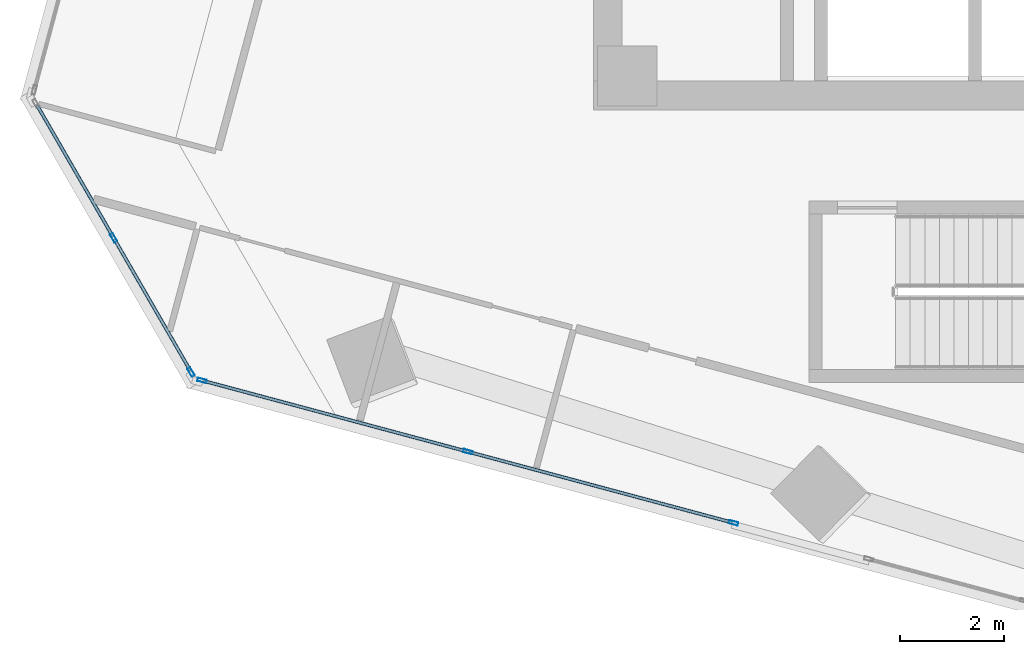
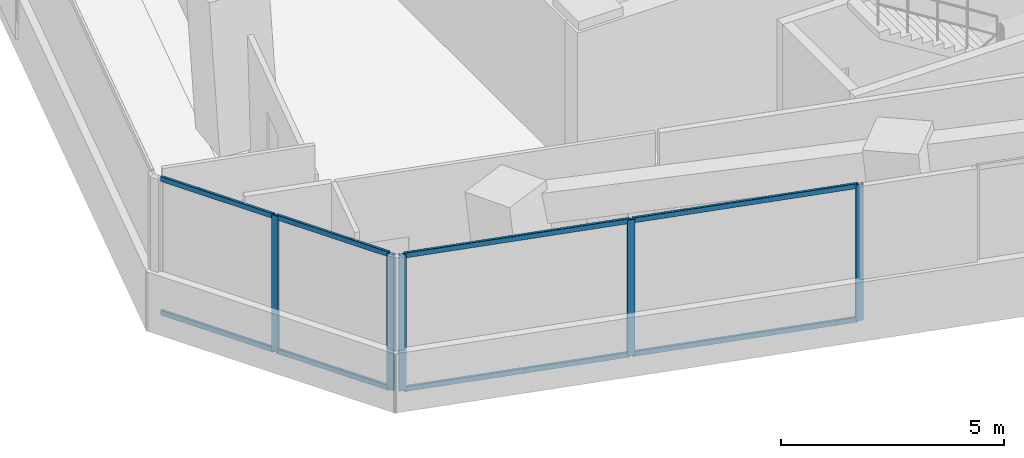
# One storey, part 2 of 27: 13 members, 2 elements without a shape of their own.
"""IFC4 building model written with IfcOpenShell, lengths in metres."""

from ifc_helpers import new_model, si_unit, direction, frame, origin, origin_2d, place, context, subcontext, project, spatial, hollow_rectangle, extrude, source, transform, mapped, material, material_profile, profile_set, type_object, element, aggregate, save


model = new_model("IFC4")

# Units and contexts
model_context = context("Model", 3, precision=1e-05, world=origin(), true_north=direction((0.0, 1.0)))
body_context = subcontext(model_context, "Body", "Model", "MODEL_VIEW")
ifc_project = project(units=[si_unit("LENGTHUNIT", "METRE"), si_unit("AREAUNIT", "SQUARE_METRE"), si_unit("VOLUMEUNIT", "CUBIC_METRE"), si_unit("PLANEANGLEUNIT", "RADIAN"), si_unit("MASSUNIT", "GRAM", prefix="KILO")], contexts=[model_context])

# Site, building, storey
site_placement = place(None, origin())
site = spatial("IfcSite", under=ifc_project, at=site_placement, CompositionType="ELEMENT")
building_placement = place(site_placement, origin())
building = spatial("IfcBuilding", under=site, at=building_placement, Name="Torre Montelarca", CompositionType="ELEMENT")
storey_placement = place(building_placement, frame((0.0, 0.0, 108.39990234375)))
storey = spatial("IfcBuildingStorey", under=building, at=storey_placement, Name="L24", CompositionType="ELEMENT", Elevation=108.39990234375)

# Curtain wall, members
ifc_material_1 = material(Name="Insulated low-E laminated glass", Category="glass")
curtain_wall_type = type_object("IfcCurtainWallType", Name="CW-SYS-Z1", PredefinedType="USERDEFINED", material=ifc_material_1)
curtain_wall_1_placement = place(storey_placement, origin())
curtain_wall_1 = element("IfcCurtainWall", 1, at=curtain_wall_1_placement, inside=storey, type_object=curtain_wall_type, Name="L24 Curtain Wall Run CW-T3-L24-E11-B1", ObjectType="UNITISED GLAZING", PredefinedType="USERDEFINED")
ifc_material_2 = material(Name="Anodised aluminium AA 6063-T6", Category="aluminium")
ifc_material_profile_1 = material_profile(ifc_material_2, hollow_rectangle(XDim=0.06494140625, YDim=0.139892578125, WallThickness=0.00390625, InnerFilletRadius=0.00390625, OuterFilletRadius=0.008056640625, at=origin_2d()), Name="ALU65X140X4", Category="aluminium")
ifc_profile_set_1 = profile_set([ifc_material_profile_1], Name="Anodised aluminium AA 6063-T6")
member_type_1 = type_object("IfcMemberType", Name="CWT-ALU140", PredefinedType="USERDEFINED", material=ifc_profile_set_1)
shared_shape_1 = source(origin(), body_context, "Body", "SweptSolid", [
    extrude(hollow_rectangle(XDim=0.06494140625, YDim=0.139892578125, WallThickness=0.00390625, InnerFilletRadius=0.00390625, OuterFilletRadius=0.008056640625, at=origin_2d()), origin(), (0.0, 0.0, 1.0), 2.91845703125),
])
member_1_placement = place(storey_placement, frame((-1.8125, 23.989501953125, 0.03271484375), z_axis=(0.499980718146, -0.866036535882, 0.0), x_axis=(0.866036535882, 0.499980718146, 0.0)))
member_1 = element("IfcMember", 2, at=member_1_placement, type_object=member_type_1, Name="CW transom 1.1", ObjectType="TRANSOM", PredefinedType="USERDEFINED", context=body_context, shape_type="MappedRepresentation", body=[
    mapped(shared_shape_1, transform((0.0, 0.0, 0.0), scale=1.0)),
])
member_2_placement = place(storey_placement, frame((-1.8125, 23.989501953125, 3.6875), z_axis=(0.499980718146, -0.866036535882, 0.0), x_axis=(0.866036535882, 0.499980718146, 0.0)))
member_2 = element("IfcMember", 3, at=member_2_placement, type_object=member_type_1, Name="CW transom 1.2", ObjectType="TRANSOM", PredefinedType="USERDEFINED", context=body_context, shape_type="MappedRepresentation", body=[
    mapped(shared_shape_1, transform((0.0, 0.0, 0.0), scale=1.0)),
])
member_3_placement = place(storey_placement, frame((-0.320556640625, 21.405517578125, 0.03271484375), z_axis=(0.499980718146, -0.866036535882, 0.0), x_axis=(0.866036535882, 0.499980718146, 0.0)))
member_3 = element("IfcMember", 4, at=member_3_placement, type_object=member_type_1, Name="CW transom 2.1", ObjectType="TRANSOM", PredefinedType="USERDEFINED", context=body_context, shape_type="MappedRepresentation", body=[
    mapped(shared_shape_1, transform((0.0, 0.0, 0.0), scale=1.0)),
])
member_4_placement = place(storey_placement, frame((-0.320556640625, 21.405517578125, 3.6875), z_axis=(0.499980718146, -0.866036535882, 0.0), x_axis=(0.866036535882, 0.499980718146, 0.0)))
member_4 = element("IfcMember", 5, at=member_4_placement, type_object=member_type_1, Name="CW transom 2.2", ObjectType="TRANSOM", PredefinedType="USERDEFINED", context=body_context, shape_type="MappedRepresentation", body=[
    mapped(shared_shape_1, transform((0.0, 0.0, 0.0), scale=1.0)),
])

curtain_wall_2_placement = place(storey_placement, origin())
curtain_wall_2 = element("IfcCurtainWall", 6, at=curtain_wall_2_placement, inside=storey, type_object=curtain_wall_type, Name="L24 Curtain Wall Run CW-T3-L24-E01-B1", ObjectType="UNITISED GLAZING", PredefinedType="USERDEFINED")
shared_shape_2 = source(origin(), body_context, "Body", "SweptSolid", [
    extrude(hollow_rectangle(XDim=0.06494140625, YDim=0.139892578125, WallThickness=0.00390625, InnerFilletRadius=0.00390625, OuterFilletRadius=0.008056640625, at=origin_2d()), origin(), (0.0, 0.0, 1.0), 5.231201171875),
])
member_5_placement = place(storey_placement, frame((1.398193359375, 18.6787109375, 0.03271484375), z_axis=(0.965934511499, -0.258786629283, 0.0), x_axis=(0.258786629283, 0.965934511499, 0.0)))
member_5 = element("IfcMember", 7, at=member_5_placement, type_object=member_type_1, Name="CW transom 1.1", ObjectType="TRANSOM", PredefinedType="USERDEFINED", context=body_context, shape_type="MappedRepresentation", body=[
    mapped(shared_shape_2, transform((0.0, 0.0, 0.0), scale=1.0)),
])
member_6_placement = place(storey_placement, frame((1.398193359375, 18.6787109375, 3.6875), z_axis=(0.965934511499, -0.258786629283, 0.0), x_axis=(0.258786629283, 0.965934511499, 0.0)))
member_6 = element("IfcMember", 8, at=member_6_placement, type_object=member_type_1, Name="CW transom 1.2", ObjectType="TRANSOM", PredefinedType="USERDEFINED", context=body_context, shape_type="MappedRepresentation", body=[
    mapped(shared_shape_2, transform((0.0, 0.0, 0.0), scale=1.0)),
])
shared_shape_3 = source(origin(), body_context, "Body", "SweptSolid", [
    extrude(hollow_rectangle(XDim=0.06494140625, YDim=0.139892578125, WallThickness=0.00390625, InnerFilletRadius=0.00390625, OuterFilletRadius=0.008056640625, at=origin_2d()), origin(), (0.0, 0.0, 1.0), 5.23095703125),
])
member_7_placement = place(storey_placement, frame((6.513916015625, 17.30810546875, 0.03271484375), z_axis=(0.96591971769, -0.258841841627, 0.0), x_axis=(0.258841841627, 0.96591971769, 0.0)))
member_7 = element("IfcMember", 9, at=member_7_placement, type_object=member_type_1, Name="CW transom 2.1", ObjectType="TRANSOM", PredefinedType="USERDEFINED", context=body_context, shape_type="MappedRepresentation", body=[
    mapped(shared_shape_3, transform((0.0, 0.0, 0.0), scale=1.0)),
])
member_8_placement = place(storey_placement, frame((6.513916015625, 17.30810546875, 3.6875), z_axis=(0.96591971769, -0.258841841627, 0.0), x_axis=(0.258841841627, 0.96591971769, 0.0)))
member_8 = element("IfcMember", 10, at=member_8_placement, type_object=member_type_1, Name="CW transom 2.2", ObjectType="TRANSOM", PredefinedType="USERDEFINED", context=body_context, shape_type="MappedRepresentation", body=[
    mapped(shared_shape_3, transform((0.0, 0.0, 0.0), scale=1.0)),
])
ifc_material_profile_2 = material_profile(ifc_material_2, hollow_rectangle(XDim=0.06494140625, YDim=0.179931640625, WallThickness=0.00390625, InnerFilletRadius=0.00390625, OuterFilletRadius=0.008056640625, at=origin_2d()), Name="ALU65X180X4", Category="aluminium")
ifc_profile_set_2 = profile_set([ifc_material_profile_2], Name="Anodised aluminium AA 6063-T6")
member_type_2 = type_object("IfcMemberType", Name="CWM-ALU180", PredefinedType="MULLION", material=ifc_profile_set_2)
shared_shape_4 = source(origin(), body_context, "Body", "SweptSolid", [
    extrude(hollow_rectangle(XDim=0.06494140625, YDim=0.179931640625, WallThickness=0.00390625, InnerFilletRadius=0.00390625, OuterFilletRadius=0.008056640625, at=origin_2d()), origin(), (0.0, 0.0, 1.0), 3.72021484375),
])
member_9_placement = place(storey_placement, frame((1.36669921875, 18.687255859375, 0.0), z_axis=(0.0, 0.0, 1.0), x_axis=(0.25881941439, 0.965925727339, 0.0)))
member_9 = element("IfcMember", 11, at=member_9_placement, type_object=member_type_2, Name="CW mullion 1", PredefinedType="MULLION", context=body_context, shape_type="MappedRepresentation", body=[
    mapped(shared_shape_4, transform((0.0, 0.0, 0.0), scale=1.0)),
])
member_10_placement = place(storey_placement, frame((6.482421875, 17.31640625, 0.0), z_axis=(0.0, 0.0, 1.0), x_axis=(0.25881941439, 0.965925727339, 0.0)))
member_10 = element("IfcMember", 12, at=member_10_placement, type_object=member_type_2, Name="CW mullion 2", PredefinedType="MULLION", context=body_context, shape_type="MappedRepresentation", body=[
    mapped(shared_shape_4, transform((0.0, 0.0, 0.0), scale=1.0)),
])
member_11_placement = place(storey_placement, frame((11.59814453125, 15.94580078125, 0.0), z_axis=(0.0, 0.0, 1.0), x_axis=(0.25881941439, 0.965925727339, 0.0)))
member_11 = element("IfcMember", 13, at=member_11_placement, type_object=member_type_2, Name="CW mullion 3", PredefinedType="MULLION", context=body_context, shape_type="MappedRepresentation", body=[
    mapped(shared_shape_4, transform((0.0, 0.0, 0.0), scale=1.0)),
])
aggregate(curtain_wall_2, [member_9, member_10, member_11, member_5, member_6, member_7, member_8])

# Member
member_12_placement = place(storey_placement, frame((-0.3369140625, 21.43359375, 0.0), z_axis=(0.0, 0.0, 1.0), x_axis=(0.866024921148, 0.50000083595, 0.0)))
member_12 = element("IfcMember", 14, at=member_12_placement, type_object=member_type_2, Name="CW mullion 2", PredefinedType="MULLION", context=body_context, shape_type="MappedRepresentation", body=[
    mapped(shared_shape_4, transform((0.0, 0.0, 0.0), scale=1.0)),
])

member_13_placement = place(storey_placement, frame((1.155029296875, 18.849853515625, 0.0), z_axis=(0.0, 0.0, 1.0), x_axis=(0.866024921148, 0.50000083595, 0.0)))
member_13 = element("IfcMember", 15, at=member_13_placement, type_object=member_type_2, Name="CW mullion 3", PredefinedType="MULLION", context=body_context, shape_type="MappedRepresentation", body=[
    mapped(shared_shape_4, transform((0.0, 0.0, 0.0), scale=1.0)),
])

aggregate(curtain_wall_1, [member_12, member_13, member_1, member_2, member_3, member_4])

save(model, "model.ifc")
